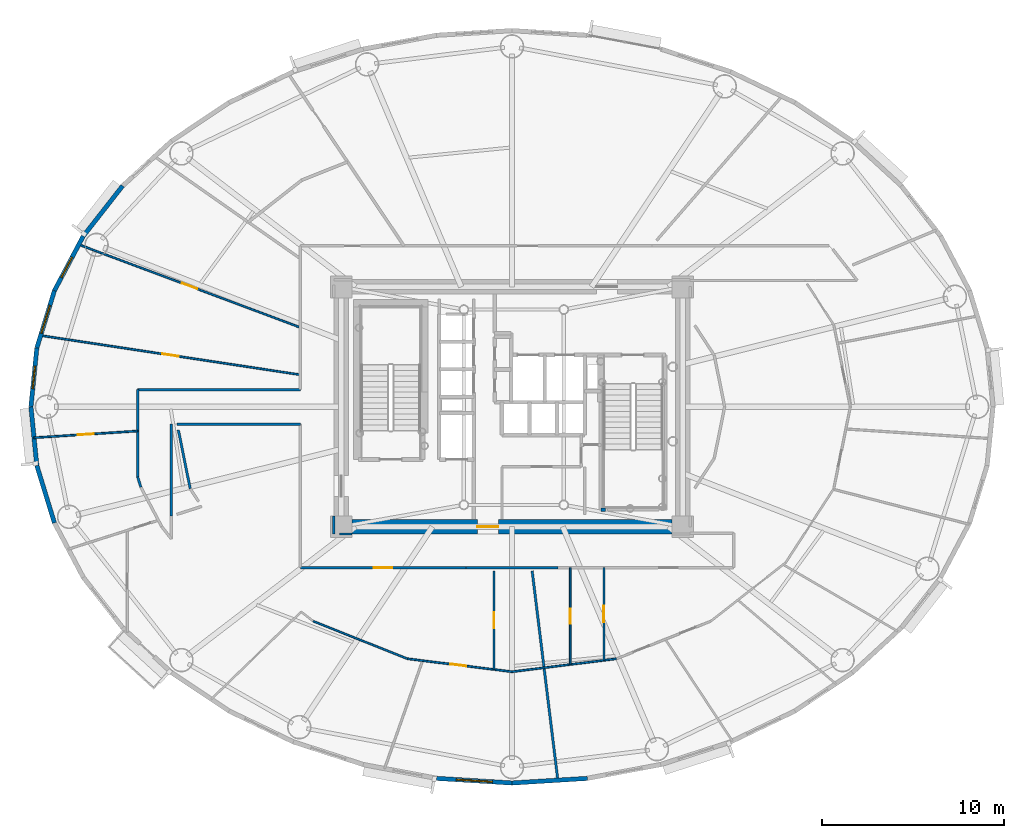
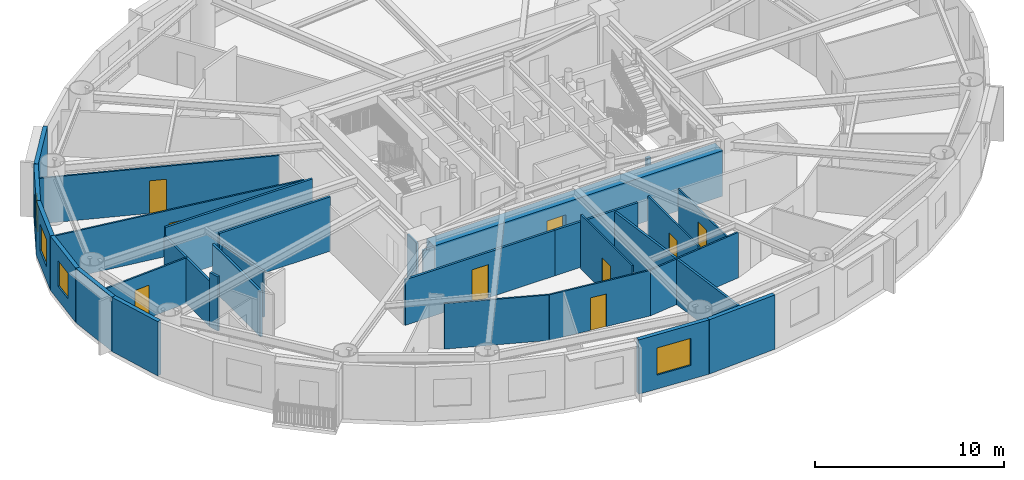
# One storey, part 8 of 18: 30 walls, 9 doors, 4 windows, 13 openings.
"""IFC4 building model written with IfcOpenShell, lengths in metres."""

from ifc_helpers import new_model, si_unit, direction, frame, frame_2d, origin, origin_2d, place, context, subcontext, project, spatial, rectangle, extrude, source, transform, mapped, material, layer, layer_set, type_object, element, fill, save


model = new_model("IFC4")

# Units and contexts
model_context = context("Model", 3, precision=1e-05, world=origin(), true_north=direction((0.0, 1.0)))
body_context = subcontext(model_context, "Body", "Model", "MODEL_VIEW")
ifc_project = project(units=[si_unit("LENGTHUNIT", "METRE"), si_unit("AREAUNIT", "SQUARE_METRE"), si_unit("VOLUMEUNIT", "CUBIC_METRE"), si_unit("PLANEANGLEUNIT", "RADIAN"), si_unit("MASSUNIT", "GRAM", prefix="KILO")], contexts=[model_context])

# Site, building, storey
site_placement = place(None, origin())
site = spatial("IfcSite", under=ifc_project, at=site_placement, CompositionType="ELEMENT")
building_placement = place(site_placement, origin())
building = spatial("IfcBuilding", under=site, at=building_placement, Name="Linh Dai School and Residence Tower", CompositionType="ELEMENT")
storey_placement = place(building_placement, frame((0.0, 0.0, 167.39990234375)))
storey = spatial("IfcBuildingStorey", under=building, at=storey_placement, Name="L40", CompositionType="ELEMENT", Elevation=167.39990234375)

# Wall
ifc_material_1 = material(Name="Precast Concrete B45 (C35/45)", Category="concrete")
ifc_layer_1 = layer(ifc_material_1, 0.239990234375)
ifc_layer_set_1 = layer_set([ifc_layer_1], Name="Precast Concrete B45 (C35/45)")
wall_type_1 = type_object("IfcWallType", Name="EW-TC-240", PredefinedType="SOLIDWALL", material=ifc_layer_set_1)
wall_1_placement = place(storey_placement, frame((12.404052734375, 36.388427734375, 0.0), z_axis=(0.0, 0.0, 1.0), x_axis=(0.616287674549, 0.787521112224, 0.0)))
element("IfcWall", 1, at=wall_1_placement, inside=storey, type_object=wall_type_1, Name="L40 Terracotta Exterior Wall 17", PredefinedType="SOLIDWALL", context=body_context, shape_type="SweptSolid", body=[
    extrude(rectangle(XDim=3.517333984375, YDim=0.239990234375, at=frame_2d((1.7587890625, 0.0))), origin(), (0.0, 0.0, 1.0), 3.5),
])

# Wall, opening, window
wall_2_placement = place(storey_placement, frame((10.8173828125, 33.388916015625, 0.0), z_axis=(0.0, 0.0, 1.0), x_axis=(0.467586874938, 0.88394712194, 0.0)))
wall_2 = element("IfcWall", 2, at=wall_2_placement, inside=storey, type_object=wall_type_1, Name="L40 Terracotta Exterior Wall 18", PredefinedType="SOLIDWALL", context=body_context, shape_type="SweptSolid", body=[
    extrude(rectangle(XDim=3.393310546875, YDim=0.239990234375, at=frame_2d((1.69677734375, 0.0))), origin(), (0.0, 0.0, 1.0), 3.5),
])
opening_1_placement = place(wall_2_placement, frame((0.824951171875, 0.0, 0.89990234375)))
opening_1 = element("IfcOpeningElement", 3, at=opening_1_placement, cuts=wall_2, Name="Opening W3", PredefinedType="OPENING", context=body_context, shape_type="SweptSolid", body=[
    extrude(rectangle(XDim=1.25, YDim=1.64990234375, at=origin_2d()), frame((0.625, 0.1298828125, 0.824951171875), z_axis=(0.0, -1.0, 0.0), x_axis=(1.0, 0.0, 0.0)), (0.0, 0.0, 1.0), 0.260009765625),
])
ifc_material_2 = material(Name="Double Low-E Insulated Glazing", Category="glass")
window_type_1 = type_object("IfcWindowType", Name="WN-RES-1250x1650", PartitioningType="SINGLE_PANEL", PredefinedType="WINDOW", material=ifc_material_2)
shared_shape_1 = source(origin(), body_context, "Body", "SweptSolid", [
    extrude(rectangle(XDim=1.25, YDim=1.64990234375, at=origin_2d()), frame((0.625, 0.030029296875, 0.824951171875), z_axis=(0.0, -1.0, 0.0), x_axis=(1.0, 0.0, 0.0)), (0.0, 0.0, 1.0), 0.06005859375),
])
window_1_placement = place(opening_1_placement, origin())
window_1 = element("IfcWindow", 4, at=window_1_placement, inside=storey, type_object=window_type_1, Name="L40 Exterior Window 18.1", OverallHeight=1.64990234375, OverallWidth=1.25, PartitioningType="SINGLE_PANEL", PredefinedType="WINDOW", context=body_context, shape_type="MappedRepresentation", body=[
    mapped(shared_shape_1, transform((0.0, 0.0, 0.0), x_axis=(1.0, 0.0, 0.0), y_axis=(0.0, 1.0, 0.0), z_axis=(0.0, 0.0, 1.0), scale=1.0)),
])
fill(opening_1, window_1)

wall_3_placement = place(storey_placement, frame((9.85009765625, 30.233642578125, 0.0), z_axis=(0.0, 0.0, 1.0), x_axis=(0.293097995113, 0.956082405058, 0.0)))
wall_3 = element("IfcWall", 5, at=wall_3_placement, inside=storey, type_object=wall_type_1, Name="L40 Terracotta Exterior Wall 19", PredefinedType="SOLIDWALL", context=body_context, shape_type="SweptSolid", body=[
    extrude(rectangle(XDim=3.30029296875, YDim=0.239990234375, at=frame_2d((1.650146484375, 0.0))), origin(), (0.0, 0.0, 1.0), 3.5),
])
opening_2_placement = place(wall_3_placement, frame((0.85009765625, 0.0, 0.89990234375)))
opening_2 = element("IfcOpeningElement", 6, at=opening_2_placement, cuts=wall_3, Name="Opening W2", PredefinedType="OPENING", context=body_context, shape_type="SweptSolid", body=[
    extrude(rectangle(XDim=1.60009765625, YDim=1.75, at=origin_2d()), frame((0.800048828125, 0.1298828125, 0.875), z_axis=(0.0, -1.0, 0.0), x_axis=(1.0, 0.0, 0.0)), (0.0, 0.0, 1.0), 0.260009765625),
])
window_type_2 = type_object("IfcWindowType", Name="WN-RES-1600x1750", PartitioningType="DOUBLE_PANEL_VERTICAL", PredefinedType="WINDOW", material=ifc_material_2)
shared_shape_2 = source(origin(), body_context, "Body", "SweptSolid", [
    extrude(rectangle(XDim=1.60009765625, YDim=1.75, at=origin_2d()), frame((0.800048828125, 0.030029296875, 0.875), z_axis=(0.0, -1.0, 0.0), x_axis=(1.0, 0.0, 0.0)), (0.0, 0.0, 1.0), 0.06005859375),
])
window_2_placement = place(opening_2_placement, origin())
window_2 = element("IfcWindow", 7, at=window_2_placement, inside=storey, type_object=window_type_2, Name="L40 Exterior Window 19.1", OverallHeight=1.75, OverallWidth=1.60009765625, PartitioningType="DOUBLE_PANEL_VERTICAL", PredefinedType="WINDOW", context=body_context, shape_type="MappedRepresentation", body=[
    mapped(shared_shape_2, transform((0.0, 0.0, 0.0), x_axis=(1.0, 0.0, 0.0), y_axis=(0.0, 1.0, 0.0), z_axis=(0.0, 0.0, 1.0), scale=1.0)),
])
fill(opening_2, window_2)

wall_4_placement = place(storey_placement, frame((9.52490234375, 27.0, 0.0), z_axis=(0.0, 0.0, 1.0), x_axis=(0.100061534614, 0.994981250723, 0.0)))
wall_4 = element("IfcWall", 8, at=wall_4_placement, inside=storey, type_object=wall_type_1, Name="L40 Terracotta Exterior Wall 20", PredefinedType="SOLIDWALL", context=body_context, shape_type="SweptSolid", body=[
    extrude(rectangle(XDim=3.25, YDim=0.239990234375, at=frame_2d((1.625, 0.0))), origin(), (0.0, 0.0, 1.0), 3.5),
])
opening_3_placement = place(wall_4_placement, frame((1.0, 0.0, 0.89990234375)))
opening_3 = element("IfcOpeningElement", 9, at=opening_3_placement, cuts=wall_4, Name="Opening W3", PredefinedType="OPENING", context=body_context, shape_type="SweptSolid", body=[
    extrude(rectangle(XDim=1.25, YDim=1.64990234375, at=origin_2d()), frame((0.625, 0.1298828125, 0.824951171875), z_axis=(0.0, -1.0, 0.0), x_axis=(1.0, 0.0, 0.0)), (0.0, 0.0, 1.0), 0.260009765625),
])
window_3_placement = place(opening_3_placement, origin())
window_3 = element("IfcWindow", 10, at=window_3_placement, inside=storey, type_object=window_type_1, Name="L40 Dwelling Window U4001-BD2", OverallHeight=1.64990234375, OverallWidth=1.25, PartitioningType="SINGLE_PANEL", PredefinedType="WINDOW", context=body_context, shape_type="MappedRepresentation", body=[
    mapped(shared_shape_1, transform((0.0, 0.0, 0.0), x_axis=(1.0, 0.0, 0.0), y_axis=(0.0, 1.0, 0.0), z_axis=(0.0, 0.0, 1.0), scale=1.0)),
])
fill(opening_3, window_3)

# Walls
wall_5_placement = place(storey_placement, frame((9.85009765625, 23.766357421875, 0.0), z_axis=(0.0, 0.0, 1.0), x_axis=(-0.100061534614, 0.994981250723, 0.0)))
element("IfcWall", 11, at=wall_5_placement, inside=storey, type_object=wall_type_1, Name="L40 Terracotta Exterior Wall 21", PredefinedType="SOLIDWALL", context=body_context, shape_type="SweptSolid", body=[
    extrude(rectangle(XDim=3.25, YDim=0.239990234375, at=frame_2d((1.625, 0.0))), origin(), (0.0, 0.0, 1.0), 3.5),
])
wall_6_placement = place(storey_placement, frame((10.8173828125, 20.611083984375, 0.0), z_axis=(0.0, 0.0, 1.0), x_axis=(-0.293097995113, 0.956082405058, 0.0)))
element("IfcWall", 12, at=wall_6_placement, inside=storey, type_object=wall_type_1, Name="L40 Terracotta Exterior Wall 22", PredefinedType="SOLIDWALL", context=body_context, shape_type="SweptSolid", body=[
    extrude(rectangle(XDim=3.30029296875, YDim=0.239990234375, at=frame_2d((1.650146484375, 0.0))), origin(), (0.0, 0.0, 1.0), 3.5),
])

# Wall, opening, window
wall_7_placement = place(storey_placement, frame((36.0, 6.294921875, 0.0), z_axis=(0.0, 0.0, 1.0), x_axis=(-0.998104600619, 0.061540281305, 0.0)))
wall_7 = element("IfcWall", 13, at=wall_7_placement, inside=storey, type_object=wall_type_1, Name="L40 Terracotta Exterior Wall 30", PredefinedType="SOLIDWALL", context=body_context, shape_type="SweptSolid", body=[
    extrude(rectangle(XDim=4.153564453125, YDim=0.239990234375, at=frame_2d((2.07666015625, 0.0))), origin(), (0.0, 0.0, 1.0), 3.5),
])
opening_4_placement = place(wall_7_placement, frame((1.076904296875, 0.0, 0.89990234375)))
opening_4 = element("IfcOpeningElement", 14, at=opening_4_placement, cuts=wall_7, Name="Opening W1", PredefinedType="OPENING", context=body_context, shape_type="SweptSolid", body=[
    extrude(rectangle(XDim=2.0, YDim=1.75, at=origin_2d()), frame((1.0, 0.1298828125, 0.875), z_axis=(0.0, -1.0, 0.0), x_axis=(1.0, 0.0, 0.0)), (0.0, 0.0, 1.0), 0.260009765625),
])
window_type_3 = type_object("IfcWindowType", Name="WN-RES-2000x1750", PartitioningType="DOUBLE_PANEL_VERTICAL", PredefinedType="WINDOW", material=ifc_material_2)
shared_shape_3 = source(origin(), body_context, "Body", "SweptSolid", [
    extrude(rectangle(XDim=2.0, YDim=1.75, at=origin_2d()), frame((1.0, 0.030029296875, 0.875), z_axis=(0.0, -1.0, 0.0), x_axis=(1.0, 0.0, 0.0)), (0.0, 0.0, 1.0), 0.06005859375),
])
window_4_placement = place(opening_4_placement, origin())
window_4 = element("IfcWindow", 15, at=window_4_placement, inside=storey, type_object=window_type_3, Name="L40 Exterior Window 30.1", OverallHeight=1.75, OverallWidth=2.0, PartitioningType="DOUBLE_PANEL_VERTICAL", PredefinedType="WINDOW", context=body_context, shape_type="MappedRepresentation", body=[
    mapped(shared_shape_3, transform((0.0, 0.0, 0.0), x_axis=(1.0, 0.0, 0.0), y_axis=(0.0, 1.0, 0.0), z_axis=(0.0, 0.0, 1.0), scale=1.0)),
])
fill(opening_4, window_4)

# Walls
wall_8_placement = place(storey_placement, frame((40.145751953125, 6.550537109375, 0.0), z_axis=(0.0, 0.0, 1.0), x_axis=(-0.998104600619, -0.061540281305, 0.0)))
element("IfcWall", 16, at=wall_8_placement, inside=storey, type_object=wall_type_1, Name="L40 Terracotta Exterior Wall 31", PredefinedType="SOLIDWALL", context=body_context, shape_type="SweptSolid", body=[
    extrude(rectangle(XDim=4.153564453125, YDim=0.239990234375, at=frame_2d((2.07666015625, 0.0))), origin(), (0.0, 0.0, 1.0), 3.5),
])
ifc_material_3 = material(Name="Autoclaved Aerated Concrete Blockwork", Category="masonry")
ifc_layer_2 = layer(ifc_material_3, 0.135009765625)
ifc_layer_set_2 = layer_set([ifc_layer_2], Name="Autoclaved Aerated Concrete Blockwork")
wall_type_2 = type_object("IfcWallType", Name="IW-CORR-135-EI90", PredefinedType="PARTITIONING", material=ifc_layer_set_2)
wall_9_placement = place(storey_placement, frame((15.39990234375, 23.14599609375, 0.0), z_axis=(0.0, 0.0, 1.0), x_axis=(0.0, 1.0, 0.0)))
element("IfcWall", 17, at=wall_9_placement, inside=storey, type_object=wall_type_2, Name="L40 Interior Partition Wall 006", PredefinedType="PARTITIONING", context=body_context, shape_type="SweptSolid", body=[
    extrude(rectangle(XDim=4.803955078125, YDim=0.135009765625, at=frame_2d((2.40185546875, 0.0))), origin(), (0.0, 0.0, 1.0), 2.93505859375),
])
wall_10_placement = place(storey_placement, frame((15.39990234375, 23.14599609375, 0.0), z_axis=(0.0, 0.0, 1.0), x_axis=(0.293335154151, -0.956009669061, 0.0)))
element("IfcWall", 18, at=wall_10_placement, inside=storey, type_object=wall_type_2, Name="L40 Interior Partition Wall 007", PredefinedType="PARTITIONING", context=body_context, shape_type="SweptSolid", body=[
    extrude(rectangle(XDim=0.59423828125, YDim=0.135009765625, at=frame_2d((0.297119140625, 0.0))), origin(), (0.0, 0.0, 1.0), 3.5),
])
wall_11_placement = place(storey_placement, frame((15.39990234375, 27.949951171875, 0.0), z_axis=(0.0, 0.0, 1.0), x_axis=(1.0, 0.0, 0.0)))
element("IfcWall", 19, at=wall_11_placement, inside=storey, type_object=wall_type_2, Name="L40 Interior Partition Wall 008", PredefinedType="PARTITIONING", context=body_context, shape_type="SweptSolid", body=[
    extrude(rectangle(XDim=8.9501953125, YDim=0.135009765625, at=frame_2d((4.47509765625, 0.0))), origin(), (0.0, 0.0, 1.0), 3.5),
])
wall_12_placement = place(storey_placement, frame((17.572265625, 26.050048828125, 0.0), z_axis=(0.0, 0.0, 1.0), x_axis=(1.0, 0.0, 0.0)))
element("IfcWall", 20, at=wall_12_placement, inside=storey, type_object=wall_type_2, Name="L40 Interior Partition Wall 013", PredefinedType="PARTITIONING", context=body_context, shape_type="SweptSolid", body=[
    extrude(rectangle(XDim=6.77783203125, YDim=0.135009765625, at=frame_2d((3.388916015625, 0.0))), origin(), (0.0, 0.0, 1.0), 3.5),
])

# Wall, opening, door
wall_13_placement = place(storey_placement, frame((24.35009765625, 18.14990234375, 0.0), z_axis=(0.0, 0.0, 1.0), x_axis=(1.0, 0.0, 0.0)))
wall_13 = element("IfcWall", 21, at=wall_13_placement, inside=storey, type_object=wall_type_2, Name="L40 Interior Partition Wall 018", PredefinedType="PARTITIONING", context=body_context, shape_type="SweptSolid", body=[
    extrude(rectangle(XDim=9.108642578125, YDim=0.135009765625, at=frame_2d((4.55419921875, 0.0))), origin(), (0.0, 0.0, 1.0), 2.93505859375),
])
opening_5_placement = place(wall_13_placement, frame((4.05419921875, 0.0, 0.0)))
opening_5 = element("IfcOpeningElement", 22, at=opening_5_placement, cuts=wall_13, Name="Opening D03", PredefinedType="OPENING", context=body_context, shape_type="SweptSolid", body=[
    extrude(rectangle(XDim=1.0, YDim=2.14990234375, at=origin_2d()), frame((0.5, 0.07763671875, 1.074951171875), z_axis=(0.0, -1.0, 0.0), x_axis=(1.0, 0.0, 0.0)), (0.0, 0.0, 1.0), 0.155029296875),
])
ifc_material_4 = material(Name="Fire-Rated Solid Timber Entrance Door", Category="wood")
door_type_1 = type_object("IfcDoorType", Name="DR-FLAT-1000x2150-FD60S", OperationType="NOTDEFINED", PredefinedType="DOOR", material=ifc_material_4)
shared_shape_4 = source(origin(), body_context, "Body", "SweptSolid", [
    extrude(rectangle(XDim=1.0, YDim=2.14990234375, at=origin_2d()), frame((0.5, 0.02490234375, 1.074951171875), z_axis=(0.0, -1.0, 0.0), x_axis=(1.0, 0.0, 0.0)), (0.0, 0.0, 1.0), 0.050048828125),
])
door_1_placement = place(opening_5_placement, origin())
door_1 = element("IfcDoor", 23, at=door_1_placement, inside=storey, type_object=door_type_1, Name="L40 U4001 Apartment Entrance Door", OperationType="SINGLE_SWING_RIGHT", OverallHeight=2.14990234375, OverallWidth=1.0, PredefinedType="DOOR", context=body_context, shape_type="MappedRepresentation", body=[
    mapped(shared_shape_4, transform((0.0, 0.0, 0.0), x_axis=(1.0, 0.0, 0.0), y_axis=(0.0, 1.0, 0.0), z_axis=(0.0, 0.0, 1.0), scale=1.0)),
])
fill(opening_5, door_1)

# Walls
wall_14_placement = place(storey_placement, frame((37.1083984375, 17.97216796875, 0.0), z_axis=(0.0, 0.0, 1.0), x_axis=(0.121868774407, -0.992546221505, 0.0)))
element("IfcWall", 24, at=wall_14_placement, inside=storey, type_object=wall_type_2, Name="L40 Interior Partition Wall 050", PredefinedType="PARTITIONING", context=body_context, shape_type="SweptSolid", body=[
    extrude(rectangle(XDim=11.61328125, YDim=0.135009765625, at=frame_2d((5.806640625, 0.0))), origin(), (0.0, 0.0, 1.0), 2.93505859375),
])
wall_15_placement = place(storey_placement, frame((17.25, 26.050048828125, 0.0), z_axis=(0.0, 0.0, 1.0), x_axis=(0.0, -1.0, 0.0)))
element("IfcWall", 25, at=wall_15_placement, inside=storey, type_object=wall_type_2, Name="L40 Interior Partition Wall 085", PredefinedType="PARTITIONING", context=body_context, shape_type="SweptSolid", body=[
    extrude(rectangle(XDim=5.06005859375, YDim=0.135009765625, at=frame_2d((2.530029296875, 0.0))), origin(), (0.0, 0.0, 1.0), 2.93505859375),
])
wall_16_placement = place(storey_placement, frame((26.199951171875, 20.989990234375, 0.0), z_axis=(0.0, 0.0, 1.0), x_axis=(0.0, -1.0, 0.0)))
element("IfcWall", 26, at=wall_16_placement, inside=storey, type_object=wall_type_2, Name="L40 Interior Partition Wall 092", PredefinedType="PARTITIONING", context=body_context, shape_type="SweptSolid", body=[
    extrude(rectangle(XDim=0.989990234375, YDim=0.135009765625, at=frame_2d((0.4951171875, 0.0))), origin(), (0.0, 0.0, 1.0), 3.5),
])
wall_17_placement = place(storey_placement, frame((26.507568359375, 20.0, 0.0), z_axis=(0.0, 0.0, 1.0), x_axis=(1.0, 0.0, 0.0)))
element("IfcWall", 27, at=wall_17_placement, inside=storey, type_object=wall_type_2, Name="L40 Interior Partition Wall 093", PredefinedType="PARTITIONING", context=body_context, shape_type="SweptSolid", body=[
    extrude(rectangle(XDim=0.682373046875, YDim=0.135009765625, at=frame_2d((0.34130859375, 0.0))), origin(), (0.0, 0.0, 1.0), 2.93505859375),
])
wall_18_placement = place(storey_placement, frame((38.53125, 18.14990234375, 0.0), z_axis=(0.0, 0.0, 1.0), x_axis=(-1.0, 0.0, 0.0)))
element("IfcWall", 28, at=wall_18_placement, inside=storey, type_object=wall_type_2, Name="L40 Interior Partition Wall 095", PredefinedType="PARTITIONING", context=body_context, shape_type="SweptSolid", body=[
    extrude(rectangle(XDim=5.0625, YDim=0.135009765625, at=frame_2d((2.53125, 0.0))), origin(), (0.0, 0.0, 1.0), 2.93505859375),
])
wall_19_placement = place(storey_placement, frame((18.291259765625, 22.494140625, 0.0), z_axis=(0.0, 0.0, 1.0), x_axis=(-0.198211153628, 0.980159343463, 0.0)))
element("IfcWall", 29, at=wall_19_placement, inside=storey, type_object=wall_type_2, Name="L40 Interior Partition Wall 099", PredefinedType="PARTITIONING", context=body_context, shape_type="SweptSolid", body=[
    extrude(rectangle(XDim=3.293701171875, YDim=0.135009765625, at=frame_2d((1.64697265625, 0.0))), origin(), (0.0, 0.0, 1.0), 2.93505859375),
])
ifc_material_5 = material(Name="Concrete B45 (C35/45)", Category="concrete")
ifc_layer_3 = layer(ifc_material_5, 0.199951171875)
ifc_layer_set_3 = layer_set([ifc_layer_3], Name="Concrete B45 (C35/45)")
wall_type_3 = type_object("IfcWallType", Name="IW-SHAFT-200-EI120", PredefinedType="PARTITIONING", material=ifc_layer_set_3)
wall_20_placement = place(storey_placement, frame((40.89990234375, 21.330078125, 0.0), z_axis=(0.0, 0.0, 1.0), x_axis=(1.0, 0.0, 0.0)))
element("IfcWall", 30, at=wall_20_placement, inside=storey, type_object=wall_type_3, Name="L40 Interior Partition Wall 060", PredefinedType="PARTITIONING", context=body_context, shape_type="SweptSolid", body=[
    extrude(rectangle(XDim=0.25, YDim=0.199951171875, at=frame_2d((0.125, 0.0))), origin(), (0.0, 0.0, 1.0), 3.03515625),
])

# Wall, opening, door
ifc_material_6 = material(Name="Gypsum Plasterboard Acoustic Stud Partition", Category="masonry")
ifc_layer_4 = layer(ifc_material_6, 0.10009765625)
ifc_layer_set_4 = layer_set([ifc_layer_4], Name="Gypsum Plasterboard Acoustic Stud Partition")
wall_type_4 = type_object("IfcWallType", Name="IW-UNIT-100", PredefinedType="PARTITIONING", material=ifc_layer_set_4)
wall_21_placement = place(storey_placement, frame((9.691162109375, 25.2958984375, 0.0), z_axis=(0.0, 0.0, 1.0), x_axis=(0.99791042292, 0.064612598054, 0.0)))
wall_21 = element("IfcWall", 31, at=wall_21_placement, inside=storey, type_object=wall_type_4, Name="L40 Interior Partition Wall 001", PredefinedType="PARTITIONING", context=body_context, shape_type="SweptSolid", body=[
    extrude(rectangle(XDim=5.720703125, YDim=0.10009765625, at=frame_2d((2.8603515625, 0.0))), origin(), (0.0, 0.0, 1.0), 2.93505859375),
])
opening_6_placement = place(wall_21_placement, frame((2.410400390625, 0.0, 0.0)))
opening_6 = element("IfcOpeningElement", 32, at=opening_6_placement, cuts=wall_21, Name="Opening D05", PredefinedType="OPENING", context=body_context, shape_type="SweptSolid", body=[
    extrude(rectangle(XDim=0.89990234375, YDim=2.10009765625, at=origin_2d()), frame((0.449951171875, 0.06005859375, 1.050048828125), z_axis=(0.0, -1.0, 0.0), x_axis=(1.0, 0.0, 0.0)), (0.0, 0.0, 1.0), 0.1201171875),
])
ifc_material_7 = material(Name="Engineered Timber Internal Door", Category="wood")
door_type_2 = type_object("IfcDoorType", Name="DR-INT-900x2100", OperationType="NOTDEFINED", PredefinedType="DOOR", material=ifc_material_7)
shared_shape_5 = source(origin(), body_context, "Body", "SweptSolid", [
    extrude(rectangle(XDim=0.89990234375, YDim=2.10009765625, at=origin_2d()), frame((0.449951171875, 0.02490234375, 1.050048828125), z_axis=(0.0, -1.0, 0.0), x_axis=(1.0, 0.0, 0.0)), (0.0, 0.0, 1.0), 0.050048828125),
])
door_2_placement = place(opening_6_placement, origin())
door_2 = element("IfcDoor", 33, at=door_2_placement, inside=storey, type_object=door_type_2, Name="L40 Apartment U4001 Principal Bedroom 2 Door", OperationType="SINGLE_SWING_RIGHT", OverallHeight=2.10009765625, OverallWidth=0.89990234375, PredefinedType="DOOR", context=body_context, shape_type="MappedRepresentation", body=[
    mapped(shared_shape_5, transform((0.0, 0.0, 0.0), x_axis=(1.0, 0.0, 0.0), y_axis=(0.0, 1.0, 0.0), z_axis=(0.0, 0.0, 1.0), scale=1.0)),
])
fill(opening_6, door_2)

wall_22_placement = place(storey_placement, frame((10.056396484375, 30.923583984375, 0.0), z_axis=(0.0, 0.0, 1.0), x_axis=(0.988757382987, -0.149528718277, 0.0)))
wall_22 = element("IfcWall", 34, at=wall_22_placement, inside=storey, type_object=wall_type_4, Name="L40 Interior Partition Wall 002", PredefinedType="PARTITIONING", context=body_context, shape_type="SweptSolid", body=[
    extrude(rectangle(XDim=14.456298828125, YDim=0.10009765625, at=frame_2d((7.22802734375, 0.0))), origin(), (0.0, 0.0, 1.0), 2.93505859375),
])
opening_7_placement = place(wall_22_placement, frame((6.778076171875, 0.0, 0.0)))
opening_7 = element("IfcOpeningElement", 35, at=opening_7_placement, cuts=wall_22, Name="Opening D05", PredefinedType="OPENING", context=body_context, shape_type="SweptSolid", body=[
    extrude(rectangle(XDim=0.89990234375, YDim=2.10009765625, at=origin_2d()), frame((0.449951171875, 0.06005859375, 1.050048828125), z_axis=(0.0, -1.0, 0.0), x_axis=(1.0, 0.0, 0.0)), (0.0, 0.0, 1.0), 0.1201171875),
])
door_3_placement = place(opening_7_placement, origin())
door_3 = element("IfcDoor", 36, at=door_3_placement, inside=storey, type_object=door_type_2, Name="L40 Apartment U4001 Private Salon Door", OperationType="SINGLE_SWING_LEFT", OverallHeight=2.10009765625, OverallWidth=0.89990234375, PredefinedType="DOOR", context=body_context, shape_type="MappedRepresentation", body=[
    mapped(shared_shape_5, transform((0.0, 0.0, 0.0), x_axis=(1.0, 0.0, 0.0), y_axis=(0.0, 1.0, 0.0), z_axis=(0.0, 0.0, 1.0), scale=1.0)),
])
fill(opening_7, door_3)

wall_23_placement = place(storey_placement, frame((12.15576171875, 35.9296875, 0.0), z_axis=(0.0, 0.0, 1.0), x_axis=(0.936480111121, -0.350720688689, 0.0)))
wall_23 = element("IfcWall", 37, at=wall_23_placement, inside=storey, type_object=wall_type_4, Name="L40 Interior Partition Wall 004", PredefinedType="PARTITIONING", context=body_context, shape_type="SweptSolid", body=[
    extrude(rectangle(XDim=13.021484375, YDim=0.10009765625, at=frame_2d((6.5107421875, 0.0))), origin(), (0.0, 0.0, 1.0), 2.93505859375),
])
opening_8_placement = place(wall_23_placement, frame((6.060791015625, 0.0, 0.0)))
opening_8 = element("IfcOpeningElement", 38, at=opening_8_placement, cuts=wall_23, Name="Opening D05", PredefinedType="OPENING", context=body_context, shape_type="SweptSolid", body=[
    extrude(rectangle(XDim=0.89990234375, YDim=2.10009765625, at=origin_2d()), frame((0.449951171875, 0.06005859375, 1.050048828125), z_axis=(0.0, -1.0, 0.0), x_axis=(1.0, 0.0, 0.0)), (0.0, 0.0, 1.0), 0.1201171875),
])
door_4_placement = place(opening_8_placement, origin())
door_4 = element("IfcDoor", 39, at=door_4_placement, inside=storey, type_object=door_type_2, Name="L40 Apartment U4001 Principal Bedroom 1 Door", OperationType="SINGLE_SWING_RIGHT", OverallHeight=2.10009765625, OverallWidth=0.89990234375, PredefinedType="DOOR", context=body_context, shape_type="MappedRepresentation", body=[
    mapped(shared_shape_5, transform((0.0, 0.0, 0.0), x_axis=(1.0, 0.0, 0.0), y_axis=(0.0, 1.0, 0.0), z_axis=(0.0, 0.0, 1.0), scale=1.0)),
])
fill(opening_8, door_4)

# Wall
wall_24_placement = place(storey_placement, frame((25.055419921875, 15.20361328125, 0.0), z_axis=(0.0, 0.0, 1.0), x_axis=(0.928798710424, -0.370584613166, 0.0)))
element("IfcWall", 40, at=wall_24_placement, inside=storey, type_object=wall_type_4, Name="L40 Interior Partition Wall 023", PredefinedType="PARTITIONING", context=body_context, shape_type="SweptSolid", body=[
    extrude(rectangle(XDim=5.588623046875, YDim=0.10009765625, at=frame_2d((2.79443359375, 0.0))), origin(), (0.0, 0.0, 1.0), 2.93505859375),
])

# Wall, opening, door
wall_25_placement = place(storey_placement, frame((30.24609375, 13.132568359375, 0.0), z_axis=(0.0, 0.0, 1.0), x_axis=(0.992396615981, -0.123081097612, 0.0)))
wall_25 = element("IfcWall", 41, at=wall_25_placement, inside=storey, type_object=wall_type_4, Name="L40 Interior Partition Wall 026", PredefinedType="PARTITIONING", context=body_context, shape_type="SweptSolid", body=[
    extrude(rectangle(XDim=5.798095703125, YDim=0.10009765625, at=frame_2d((2.89892578125, 0.0))), origin(), (0.0, 0.0, 1.0), 2.93505859375),
])
opening_9_placement = place(wall_25_placement, frame((2.37109375, 0.0, 0.0)))
opening_9 = element("IfcOpeningElement", 42, at=opening_9_placement, cuts=wall_25, Name="Opening D05", PredefinedType="OPENING", context=body_context, shape_type="SweptSolid", body=[
    extrude(rectangle(XDim=0.89990234375, YDim=2.10009765625, at=origin_2d()), frame((0.449951171875, 0.06005859375, 1.050048828125), z_axis=(0.0, -1.0, 0.0), x_axis=(1.0, 0.0, 0.0)), (0.0, 0.0, 1.0), 0.1201171875),
])
door_5_placement = place(opening_9_placement, origin())
door_5 = element("IfcDoor", 43, at=door_5_placement, inside=storey, type_object=door_type_2, Name="L40 Apartment U4001 Principal Bedroom 4 Door", OperationType="SINGLE_SWING_LEFT", OverallHeight=2.10009765625, OverallWidth=0.89990234375, PredefinedType="DOOR", context=body_context, shape_type="MappedRepresentation", body=[
    mapped(shared_shape_5, transform((0.0, 0.0, 0.0), x_axis=(1.0, 0.0, 0.0), y_axis=(0.0, 1.0, 0.0), z_axis=(0.0, 0.0, 1.0), scale=1.0)),
])
fill(opening_9, door_5)

wall_26_placement = place(storey_placement, frame((35.01171875, 12.54150390625, 0.0), z_axis=(0.0, 0.0, 1.0), x_axis=(0.0, 1.0, 0.0)))
wall_26 = element("IfcWall", 44, at=wall_26_placement, inside=storey, type_object=wall_type_4, Name="L40 Interior Partition Wall 035", PredefinedType="PARTITIONING", context=body_context, shape_type="SweptSolid", body=[
    extrude(rectangle(XDim=5.415771484375, YDim=0.10009765625, at=frame_2d((2.7080078125, 0.0))), origin(), (0.0, 0.0, 1.0), 3.5),
])
opening_10_placement = place(wall_26_placement, frame((2.2578125, 0.0, 0.0)))
opening_10 = element("IfcOpeningElement", 45, at=opening_10_placement, cuts=wall_26, Name="Opening D05", PredefinedType="OPENING", context=body_context, shape_type="SweptSolid", body=[
    extrude(rectangle(XDim=0.89990234375, YDim=2.10009765625, at=origin_2d()), frame((0.449951171875, 0.06005859375, 1.050048828125), z_axis=(0.0, -1.0, 0.0), x_axis=(1.0, 0.0, 0.0)), (0.0, 0.0, 1.0), 0.1201171875),
])
door_6_placement = place(opening_10_placement, origin())
door_6 = element("IfcDoor", 46, at=door_6_placement, inside=storey, type_object=door_type_2, Name="L40 Apartment U4001 Kitchen Door", OperationType="SINGLE_SWING_LEFT", OverallHeight=2.10009765625, OverallWidth=0.89990234375, PredefinedType="DOOR", context=body_context, shape_type="MappedRepresentation", body=[
    mapped(shared_shape_5, transform((0.0, 0.0, 0.0), x_axis=(1.0, 0.0, 0.0), y_axis=(0.0, 1.0, 0.0), z_axis=(0.0, 0.0, 1.0), scale=1.0)),
])
fill(opening_10, door_6)

# Wall
wall_27_placement = place(storey_placement, frame((36.0, 12.4189453125, 0.0), z_axis=(0.0, 0.0, 1.0), x_axis=(0.992396615981, 0.123081097612, 0.0)))
element("IfcWall", 47, at=wall_27_placement, inside=storey, type_object=wall_type_4, Name="L40 Interior Partition Wall 048", PredefinedType="PARTITIONING", context=body_context, shape_type="SweptSolid", body=[
    extrude(rectangle(XDim=5.798095703125, YDim=0.10009765625, at=frame_2d((2.89892578125, 0.0))), origin(), (0.0, 0.0, 1.0), 2.93505859375),
])

# Wall, opening, door
wall_28_placement = place(storey_placement, frame((39.2099609375, 12.817138671875, 0.0), z_axis=(0.0, 0.0, 1.0), x_axis=(0.0, 1.0, 0.0)))
wall_28 = element("IfcWall", 48, at=wall_28_placement, inside=storey, type_object=wall_type_4, Name="L40 Interior Partition Wall 054", PredefinedType="PARTITIONING", context=body_context, shape_type="SweptSolid", body=[
    extrude(rectangle(XDim=5.332763671875, YDim=0.10009765625, at=frame_2d((2.66650390625, 0.0))), origin(), (0.0, 0.0, 1.0), 3.125),
])
opening_11_placement = place(wall_28_placement, frame((2.25634765625, 0.0, 0.0)))
opening_11 = element("IfcOpeningElement", 49, at=opening_11_placement, cuts=wall_28, Name="Opening D06", PredefinedType="OPENING", context=body_context, shape_type="SweptSolid", body=[
    extrude(rectangle(XDim=0.820068359375, YDim=2.10009765625, at=origin_2d()), frame((0.41015625, 0.06005859375, 1.050048828125), z_axis=(0.0, -1.0, 0.0), x_axis=(1.0, 0.0, 0.0)), (0.0, 0.0, 1.0), 0.1201171875),
])
ifc_material_8 = material(Name="Moisture-Resistant Timber Bathroom Door", Category="wood")
door_type_3 = type_object("IfcDoorType", Name="DR-WET-820x2100", OperationType="NOTDEFINED", PredefinedType="DOOR", material=ifc_material_8)
shared_shape_6 = source(origin(), body_context, "Body", "SweptSolid", [
    extrude(rectangle(XDim=0.820068359375, YDim=2.10009765625, at=origin_2d()), frame((0.41015625, 0.02490234375, 1.050048828125), z_axis=(0.0, -1.0, 0.0), x_axis=(1.0, 0.0, 0.0)), (0.0, 0.0, 1.0), 0.050048828125),
])
door_7_placement = place(opening_11_placement, origin())
door_7 = element("IfcDoor", 50, at=door_7_placement, inside=storey, type_object=door_type_3, Name="L40 Apartment U4002 Bathroom 1 Door", OperationType="SINGLE_SWING_RIGHT", OverallHeight=2.10009765625, OverallWidth=0.820068359375, PredefinedType="DOOR", context=body_context, shape_type="MappedRepresentation", body=[
    mapped(shared_shape_6, transform((0.0, 0.0, 0.0), x_axis=(1.0, 0.0, 0.0), y_axis=(0.0, 1.0, 0.0), z_axis=(0.0, 0.0, 1.0), scale=1.0)),
])
fill(opening_11, door_7)

wall_29_placement = place(storey_placement, frame((41.05908203125, 13.04638671875, 0.0), z_axis=(0.0, 0.0, 1.0), x_axis=(0.0, 1.0, 0.0)))
wall_29 = element("IfcWall", 51, at=wall_29_placement, inside=storey, type_object=wall_type_4, Name="L40 Interior Partition Wall 061", PredefinedType="PARTITIONING", context=body_context, shape_type="SweptSolid", body=[
    extrude(rectangle(XDim=5.103515625, YDim=0.10009765625, at=frame_2d((2.5517578125, 0.0))), origin(), (0.0, 0.0, 1.0), 2.93505859375),
])
opening_12_placement = place(wall_29_placement, frame((2.101806640625, 0.0, 0.0)))
opening_12 = element("IfcOpeningElement", 52, at=opening_12_placement, cuts=wall_29, Name="Opening D05", PredefinedType="OPENING", context=body_context, shape_type="SweptSolid", body=[
    extrude(rectangle(XDim=0.89990234375, YDim=2.10009765625, at=origin_2d()), frame((0.449951171875, 0.06005859375, 1.050048828125), z_axis=(0.0, -1.0, 0.0), x_axis=(1.0, 0.0, 0.0)), (0.0, 0.0, 1.0), 0.1201171875),
])
door_8_placement = place(opening_12_placement, origin())
door_8 = element("IfcDoor", 53, at=door_8_placement, inside=storey, type_object=door_type_2, Name="L40 Apartment U4002 Kitchen Door", OperationType="SINGLE_SWING_LEFT", OverallHeight=2.10009765625, OverallWidth=0.89990234375, PredefinedType="DOOR", context=body_context, shape_type="MappedRepresentation", body=[
    mapped(shared_shape_5, transform((0.0, 0.0, 0.0), x_axis=(1.0, 0.0, 0.0), y_axis=(0.0, 1.0, 0.0), z_axis=(0.0, 0.0, 1.0), scale=1.0)),
])
fill(opening_12, door_8)

ifc_material_9 = material(Name="Concrete B60 (C50/60)", Category="concrete")
ifc_layer_5 = layer(ifc_material_9, 0.800048828125)
ifc_layer_set_5 = layer_set([ifc_layer_5], Name="Concrete B60 (C50/60)")
wall_type_5 = type_object("IfcWallType", Name="WL-CORE800", PredefinedType="SHEAR", material=ifc_layer_set_5)
wall_30_placement = place(storey_placement, frame((44.800048828125, 20.39990234375, 0.0), z_axis=(0.0, 0.0, 1.0), x_axis=(-1.0, 0.0, 0.0)))
wall_30 = element("IfcWall", 54, at=wall_30_placement, inside=storey, type_object=wall_type_5, Name="L40 Central Core Shear Wall S", PredefinedType="SHEAR", context=body_context, shape_type="SweptSolid", body=[
    extrude(rectangle(XDim=17.60009765625, YDim=0.800048828125, at=frame_2d((8.800048828125, 0.0))), origin(), (0.0, 0.0, 1.0), 2.9501953125),
])
opening_13_placement = place(wall_30_placement, frame((9.550048828125, 0.0, 0.0)))
opening_13 = element("IfcOpeningElement", 55, at=opening_13_placement, cuts=wall_30, Name="Opening D02", PredefinedType="OPENING", context=body_context, shape_type="SweptSolid", body=[
    extrude(rectangle(XDim=1.14990234375, YDim=2.14990234375, at=origin_2d()), frame((0.574951171875, 0.41015625, 1.074951171875), z_axis=(0.0, -1.0, 0.0), x_axis=(1.0, 0.0, 0.0)), (0.0, 0.0, 1.0), 0.820068359375),
])
ifc_material_10 = material(Name="Fire-Rated Glazed Steel Lobby Door", Category="steel")
door_type_4 = type_object("IfcDoorType", Name="DR-LOBBY-1150x2150-FD90S", OperationType="NOTDEFINED", PredefinedType="DOOR", material=ifc_material_10)
shared_shape_7 = source(origin(), body_context, "Body", "SweptSolid", [
    extrude(rectangle(XDim=1.14990234375, YDim=2.14990234375, at=origin_2d()), frame((0.574951171875, 0.02490234375, 1.074951171875), z_axis=(0.0, -1.0, 0.0), x_axis=(1.0, 0.0, 0.0)), (0.0, 0.0, 1.0), 0.050048828125),
])
door_9_placement = place(opening_13_placement, origin())
door_9 = element("IfcDoor", 56, at=door_9_placement, inside=storey, type_object=door_type_4, Name="L40 Passenger Foyer Access Door", OperationType="SINGLE_SWING_LEFT", OverallHeight=2.14990234375, OverallWidth=1.14990234375, PredefinedType="DOOR", context=body_context, shape_type="MappedRepresentation", body=[
    mapped(shared_shape_7, transform((0.0, 0.0, 0.0), x_axis=(1.0, 0.0, 0.0), y_axis=(0.0, 1.0, 0.0), z_axis=(0.0, 0.0, 1.0), scale=1.0)),
])
fill(opening_13, door_9)

save(model, "model.ifc")
